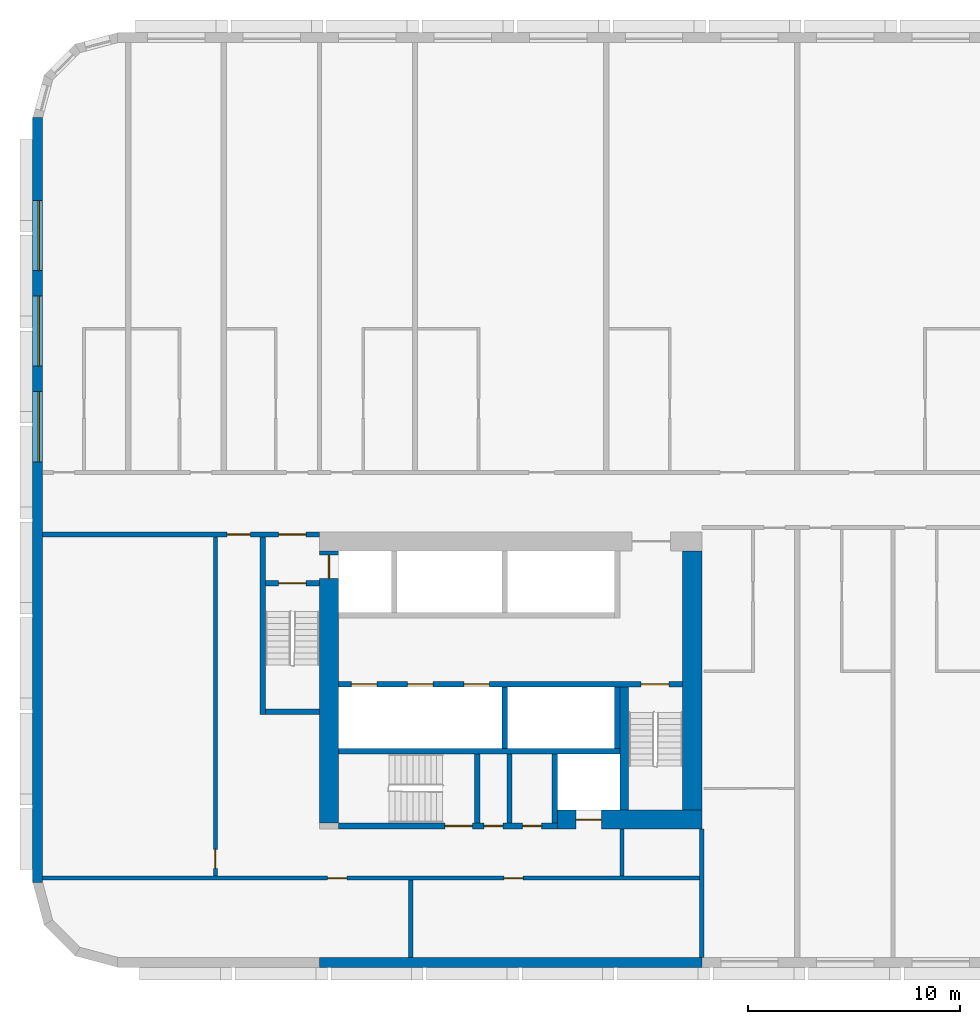
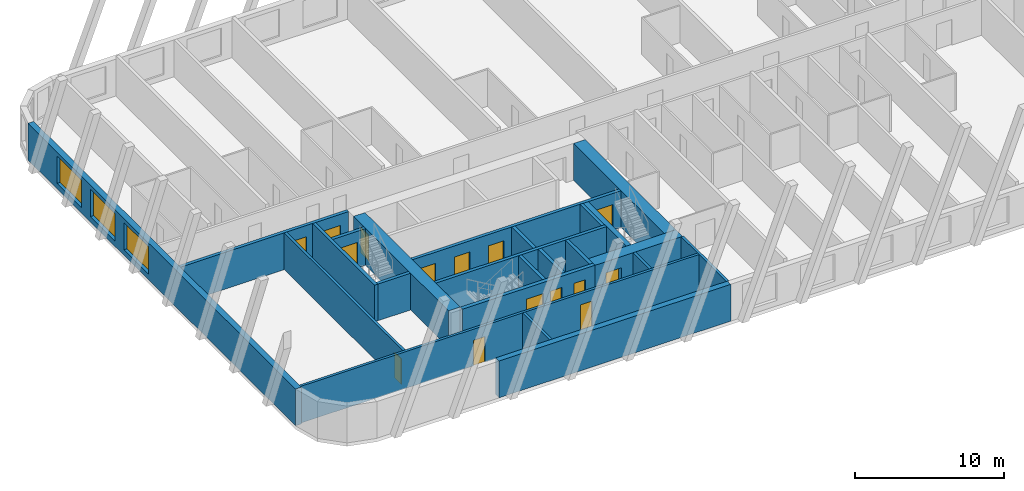
# One storey, part 2 of 13: 23 walls, 15 doors, 3 windows, 18 openings.
"""IFC4 building model written with IfcOpenShell, lengths in metres."""

from ifc_helpers import new_model, si_unit, direction, frame, frame_2d, origin, place, context, subcontext, project, spatial, rectangle, extrude, material, layer, layer_set, type_object, element, fill, save


model = new_model("IFC4")

# Units and contexts
model_context = context("Model", 3, precision=1e-05, world=origin(), true_north=direction((0.0, 1.0)))
body_context = subcontext(model_context, "Body", "Model", "MODEL_VIEW")
ifc_project = project(units=[si_unit("LENGTHUNIT", "METRE"), si_unit("AREAUNIT", "SQUARE_METRE"), si_unit("VOLUMEUNIT", "CUBIC_METRE"), si_unit("PLANEANGLEUNIT", "RADIAN"), si_unit("MASSUNIT", "GRAM", prefix="KILO")], contexts=[model_context])

# Site, building, storey
site_placement = place(None, origin())
site = spatial("IfcSite", under=ifc_project, at=site_placement, CompositionType="ELEMENT")
building_placement = place(site_placement, origin())
building = spatial("IfcBuilding", under=site, at=building_placement, Name="Kajstack Hotel Tower", CompositionType="ELEMENT")
storey_placement = place(building_placement, frame((0.0, 0.0, 89.699951171875)))
storey = spatial("IfcBuildingStorey", under=building, at=storey_placement, Name="L18", CompositionType="ELEMENT", Elevation=89.699951171875)

# Wall, opening, door
ifc_material_1 = material(Name="Concrete C60/75", Category="concrete")
ifc_layer_1 = layer(ifc_material_1, 0.89990234375)
ifc_layer_set_1 = layer_set([ifc_layer_1], Name="Core wall 900")
wall_type_1 = type_object("IfcWallType", Name="Core wall 900", PredefinedType="SHEAR", material=ifc_layer_set_1)
wall_1_placement = place(storey_placement, frame((-20.300048828125, -15.050048828125, 0.0), z_axis=(0.0, 0.0, 1.0), x_axis=(1.0, 0.0, 0.0)))
wall_1 = element("IfcWall", 1, at=wall_1_placement, inside=storey, type_object=wall_type_1, Name="Core wall W RS", PredefinedType="SHEAR", context=body_context, shape_type="SweptSolid", body=[
    extrude(rectangle(XDim=6.800048828125, YDim=0.89990234375, at=frame_2d((3.39990234375, 0.0))), origin(), (0.0, 0.0, 1.0), 3.02001953125),
])
opening_1_placement = place(wall_1_placement, frame((0.875, 0.0, 0.0)))
opening_1 = element("IfcOpeningElement", 2, at=opening_1_placement, cuts=wall_1, Name="Opening LD-SV1", PredefinedType="OPENING", context=body_context, shape_type="SweptSolid", body=[
    extrude(rectangle(XDim=1.199951171875, YDim=2.10009765625, at=frame_2d((0.60009765625, 1.050048828125))), frame((0.0, 0.4599609375, 0.0), z_axis=(0.0, -1.0, 0.0), x_axis=(1.0, 0.0, 0.0)), (0.0, 0.0, 1.0), 0.919921875),
])
ifc_material_2 = material(Name="Stainless steel", Category="steel")
door_type_1 = type_object("IfcDoorType", Name="Lift landing door 1200", OperationType="SLIDING_TO_LEFT", PredefinedType="DOOR", material=ifc_material_2)
door_1_placement = place(opening_1_placement, origin())
door_1 = element("IfcDoor", 3, at=door_1_placement, inside=storey, type_object=door_type_1, Name="Landing door SV1", OperationType="SLIDING_TO_LEFT", OverallHeight=2.10009765625, OverallWidth=1.199951171875, PredefinedType="DOOR", context=body_context, shape_type="SweptSolid", body=[
    extrude(rectangle(XDim=1.199951171875, YDim=2.10009765625, at=frame_2d((0.60009765625, 1.050048828125))), frame((0.0, 0.02490234375, 0.0), z_axis=(0.0, -1.0, 0.0), x_axis=(1.0, 0.0, 0.0)), (0.0, 0.0, 1.0), 0.050048828125),
])
fill(opening_1, door_1)

wall_2_placement = place(storey_placement, frame((-31.050048828125, -15.199951171875, 0.0), z_axis=(0.0, 0.0, 1.0), x_axis=(0.0, 1.0, 0.0)))
wall_2 = element("IfcWall", 4, at=wall_2_placement, inside=storey, type_object=wall_type_1, Name="Core wall W RW", PredefinedType="SHEAR", context=body_context, shape_type="SweptSolid", body=[
    extrude(rectangle(XDim=12.800048828125, YDim=0.89990234375, at=frame_2d((6.39990234375, 0.0))), origin(), (0.0, 0.0, 1.0), 3.02001953125),
])
opening_2_placement = place(wall_2_placement, frame((11.5, 0.0, 0.0)))
opening_2 = element("IfcOpeningElement", 5, at=opening_2_placement, cuts=wall_2, Name="Opening LD-FF1", PredefinedType="OPENING", context=body_context, shape_type="SweptSolid", body=[
    extrude(rectangle(XDim=1.10009765625, YDim=2.10009765625, at=frame_2d((0.550048828125, 1.050048828125))), frame((0.0, 0.4599609375, 0.0), z_axis=(0.0, -1.0, 0.0), x_axis=(1.0, 0.0, 0.0)), (0.0, 0.0, 1.0), 0.919921875),
])
door_type_2 = type_object("IfcDoorType", Name="Fire-fighting lift landing door 1100", OperationType="SLIDING_TO_LEFT", PredefinedType="DOOR", material=ifc_material_2)
door_2_placement = place(opening_2_placement, origin())
door_2 = element("IfcDoor", 6, at=door_2_placement, inside=storey, type_object=door_type_2, Name="Landing door FF1", OperationType="SLIDING_TO_RIGHT", OverallHeight=2.10009765625, OverallWidth=1.10009765625, PredefinedType="DOOR", context=body_context, shape_type="SweptSolid", body=[
    extrude(rectangle(XDim=1.10009765625, YDim=2.10009765625, at=frame_2d((0.550048828125, 1.050048828125))), frame((0.0, 0.02490234375, 0.0), z_axis=(0.0, -1.0, 0.0), x_axis=(1.0, 0.0, 0.0)), (0.0, 0.0, 1.0), 0.050048828125),
])
fill(opening_2, door_2)

# Walls
wall_3_placement = place(storey_placement, frame((-13.949951171875, -14.60009765625, 0.0), z_axis=(0.0, 0.0, 1.0), x_axis=(0.0, 1.0, 0.0)))
element("IfcWall", 7, at=wall_3_placement, inside=storey, type_object=wall_type_1, Name="Core wall W RE", PredefinedType="SHEAR", context=body_context, shape_type="SweptSolid", body=[
    extrude(rectangle(XDim=12.2001953125, YDim=0.89990234375, at=frame_2d((6.10009765625, 0.0))), origin(), (0.0, 0.0, 1.0), 3.02001953125),
])
ifc_material_3 = material(Name="Twin-frame gypsum board on steel studs, mineral wool", Category="steel")
ifc_layer_2 = layer(ifc_material_3, 0.199951171875)
ifc_layer_set_2 = layer_set([ifc_layer_2], Name="Demising wall 200")
wall_type_2 = type_object("IfcWallType", Name="Demising wall 200", PredefinedType="PARTITIONING", material=ifc_layer_set_2)
wall_4_placement = place(storey_placement, frame((-13.5, -21.550048828125, 0.0), z_axis=(0.0, 0.0, 1.0), x_axis=(0.0, 1.0, 0.0)))
element("IfcWall", 8, at=wall_4_placement, inside=storey, type_object=wall_type_2, Name="G-wall-L18-002", PredefinedType="PARTITIONING", context=body_context, shape_type="SweptSolid", body=[
    extrude(rectangle(XDim=6.050048828125, YDim=0.199951171875, at=frame_2d((3.02490234375, 0.0))), origin(), (0.0, 0.0, 1.0), 3.02001953125),
])
ifc_material_4 = material(Name="Concrete C40/50", Category="concrete")
ifc_layer_3 = layer(ifc_material_4, 0.449951171875)
ifc_layer_set_3 = layer_set([ifc_layer_3], Name="EW-CORE")
wall_type_3 = type_object("IfcWallType", Name="EW-CORE", PredefinedType="SOLIDWALL", material=ifc_layer_set_3)
wall_5_placement = place(storey_placement, frame((-31.5, -21.77490234375, 0.0), z_axis=(0.0, 0.0, 1.0), x_axis=(1.0, 0.0, 0.0)))
element("IfcWall", 9, at=wall_5_placement, inside=storey, type_object=wall_type_3, Name="E-wall-L18-03-01", PredefinedType="SOLIDWALL", context=body_context, shape_type="SweptSolid", body=[
    extrude(rectangle(XDim=18.0, YDim=0.449951171875, at=frame_2d((9.0, 0.0))), origin(), (0.0, 0.0, 1.0), 3.02001953125),
])

# Wall, openings, windows
ifc_material_5 = material(Name="Terracotta-faced brick masonry", Category="masonry")
ifc_layer_4 = layer(ifc_material_5, 0.449951171875)
ifc_layer_set_4 = layer_set([ifc_layer_4], Name="EW-TERRA")
wall_type_4 = type_object("IfcWallType", Name="EW-TERRA", PredefinedType="SOLIDWALL", material=ifc_layer_set_4)
wall_6_placement = place(storey_placement, frame((-44.77490234375, 18.0, 0.0), z_axis=(0.0, 0.0, 1.0), x_axis=(0.0, -1.0, 0.0)))
wall_6 = element("IfcWall", 10, at=wall_6_placement, inside=storey, type_object=wall_type_4, Name="E-wall-L18-15-00", PredefinedType="SOLIDWALL", context=body_context, shape_type="SweptSolid", body=[
    extrude(rectangle(XDim=36.0, YDim=0.449951171875, at=frame_2d((18.0, 0.0))), origin(), (0.0, 0.0, 1.0), 3.02001953125),
])
opening_3_placement = place(wall_6_placement, frame((3.89990234375, 0.0, 0.449951171875)))
opening_3 = element("IfcOpeningElement", 11, at=opening_3_placement, cuts=wall_6, Name="Opening W2", PredefinedType="OPENING", context=body_context, shape_type="SweptSolid", body=[
    extrude(rectangle(XDim=3.300048828125, YDim=2.25, at=frame_2d((1.64990234375, 1.125))), frame((0.0, 0.23486328125, 0.0), z_axis=(0.0, -1.0, 0.0), x_axis=(1.0, 0.0, 0.0)), (0.0, 0.0, 1.0), 0.469970703125),
])
opening_4_placement = place(wall_6_placement, frame((8.39990234375, 0.0, 0.449951171875)))
opening_4 = element("IfcOpeningElement", 12, at=opening_4_placement, cuts=wall_6, Name="Opening W2", PredefinedType="OPENING", context=body_context, shape_type="SweptSolid", body=[
    extrude(rectangle(XDim=3.300048828125, YDim=2.25, at=frame_2d((1.64990234375, 1.125))), frame((0.0, 0.23486328125, 0.0), z_axis=(0.0, -1.0, 0.0), x_axis=(1.0, 0.0, 0.0)), (0.0, 0.0, 1.0), 0.469970703125),
])
opening_5_placement = place(wall_6_placement, frame((12.89990234375, 0.0, 0.449951171875)))
opening_5 = element("IfcOpeningElement", 13, at=opening_5_placement, cuts=wall_6, Name="Opening W2", PredefinedType="OPENING", context=body_context, shape_type="SweptSolid", body=[
    extrude(rectangle(XDim=3.300048828125, YDim=2.25, at=frame_2d((1.64990234375, 1.125))), frame((0.0, 0.23486328125, 0.0), z_axis=(0.0, -1.0, 0.0), x_axis=(1.0, 0.0, 0.0)), (0.0, 0.0, 1.0), 0.469970703125),
])
ifc_material_6 = material(Name="Timber-aluminium window, triple glazed", Category="wood")
window_type = type_object("IfcWindowType", Name="WG2", PartitioningType="SINGLE_PANEL", PredefinedType="WINDOW", material=ifc_material_6)
window_1_placement = place(opening_3_placement, origin())
window_1 = element("IfcWindow", 14, at=window_1_placement, inside=storey, type_object=window_type, Name="Window W2 L18-15", OverallHeight=2.25, OverallWidth=3.300048828125, PartitioningType="SINGLE_PANEL", PredefinedType="WINDOW", context=body_context, shape_type="SweptSolid", body=[
    extrude(rectangle(XDim=3.300048828125, YDim=2.25, at=frame_2d((1.64990234375, 1.125))), frame((0.0, 0.090087890625, 0.0), z_axis=(0.0, -1.0, 0.0), x_axis=(1.0, 0.0, 0.0)), (0.0, 0.0, 1.0), 0.06005859375),
])
fill(opening_3, window_1)
window_2_placement = place(opening_4_placement, origin())
window_2 = element("IfcWindow", 15, at=window_2_placement, inside=storey, type_object=window_type, Name="Window W2 L18-15", OverallHeight=2.25, OverallWidth=3.300048828125, PartitioningType="SINGLE_PANEL", PredefinedType="WINDOW", context=body_context, shape_type="SweptSolid", body=[
    extrude(rectangle(XDim=3.300048828125, YDim=2.25, at=frame_2d((1.64990234375, 1.125))), frame((0.0, 0.090087890625, 0.0), z_axis=(0.0, -1.0, 0.0), x_axis=(1.0, 0.0, 0.0)), (0.0, 0.0, 1.0), 0.06005859375),
])
fill(opening_4, window_2)
window_3_placement = place(opening_5_placement, origin())
window_3 = element("IfcWindow", 16, at=window_3_placement, inside=storey, type_object=window_type, Name="Window W2 L18-15", OverallHeight=2.25, OverallWidth=3.300048828125, PartitioningType="SINGLE_PANEL", PredefinedType="WINDOW", context=body_context, shape_type="SweptSolid", body=[
    extrude(rectangle(XDim=3.300048828125, YDim=2.25, at=frame_2d((1.64990234375, 1.125))), frame((0.0, 0.090087890625, 0.0), z_axis=(0.0, -1.0, 0.0), x_axis=(1.0, 0.0, 0.0)), (0.0, 0.0, 1.0), 0.06005859375),
])
fill(opening_5, window_3)

# Walls
ifc_material_7 = material(Name="Concrete C50/60", Category="concrete")
ifc_layer_5 = layer(ifc_material_7, 0.300048828125)
ifc_layer_set_5 = layer_set([ifc_layer_5], Name="Hoistway divider wall 300")
wall_type_5 = type_object("IfcWallType", Name="Hoistway divider wall 300", PredefinedType="SHEAR", material=ifc_layer_set_5)
wall_7_placement = place(storey_placement, frame((-22.77490234375, -11.699951171875, 0.0), z_axis=(0.0, 0.0, 1.0), x_axis=(0.0, 1.0, 0.0)))
element("IfcWall", 17, at=wall_7_placement, inside=storey, type_object=wall_type_5, Name="Core wall W BP2", PredefinedType="SHEAR", context=body_context, shape_type="SweptSolid", body=[
    extrude(rectangle(XDim=2.89990234375, YDim=0.25, at=frame_2d((1.449951171875, 0.0))), origin(), (0.0, 0.0, 1.0), 3.02001953125),
])
ifc_material_8 = material(Name="Concrete block masonry", Category="masonry")
ifc_layer_6 = layer(ifc_material_8, 0.25)
ifc_layer_set_6 = layer_set([ifc_layer_6], Name="Riser partition 250")
wall_type_6 = type_object("IfcWallType", Name="Riser partition 250", PredefinedType="PARTITIONING", material=ifc_layer_set_6)
wall_8_placement = place(storey_placement, frame((-22.550048828125, -15.199951171875, 0.0), z_axis=(0.0, 0.0, 1.0), x_axis=(0.0, 1.0, 0.0)))
element("IfcWall", 18, at=wall_8_placement, inside=storey, type_object=wall_type_6, Name="Partition W SZ0", PredefinedType="PARTITIONING", context=body_context, shape_type="SweptSolid", body=[
    extrude(rectangle(XDim=3.25, YDim=0.25, at=frame_2d((1.625, 0.0))), origin(), (0.0, 0.0, 1.0), 3.02001953125),
])

# Wall, openings, doors
ifc_material_9 = material(Name="Gypsum board on steel studs, mineral wool", Category="steel")
ifc_layer_7 = layer(ifc_material_9, 0.199951171875)
ifc_layer_set_7 = layer_set([ifc_layer_7], Name="Service partition 200")
wall_type_7 = type_object("IfcWallType", Name="Service partition 200", PredefinedType="PARTITIONING", material=ifc_layer_set_7)
wall_9_placement = place(storey_placement, frame((-44.550048828125, -1.625, 0.0), z_axis=(0.0, 0.0, 1.0), x_axis=(1.0, 0.0, 0.0)))
wall_9 = element("IfcWall", 19, at=wall_9_placement, inside=storey, type_object=wall_type_7, Name="Partition W SN", PredefinedType="PARTITIONING", context=body_context, shape_type="SweptSolid", body=[
    extrude(rectangle(XDim=13.050048828125, YDim=0.25, at=frame_2d((6.52490234375, 0.0))), origin(), (0.0, 0.0, 1.0), 3.02001953125),
])
opening_6_placement = place(wall_9_placement, frame((11.125, 0.0, 0.0)))
opening_6 = element("IfcOpeningElement", 20, at=opening_6_placement, cuts=wall_9, Name="Opening 18W07", PredefinedType="OPENING", context=body_context, shape_type="SweptSolid", body=[
    extrude(rectangle(XDim=1.300048828125, YDim=2.10009765625, at=frame_2d((0.64990234375, 1.050048828125))), frame((0.0, 0.135009765625, 0.0), z_axis=(0.0, -1.0, 0.0), x_axis=(1.0, 0.0, 0.0)), (0.0, 0.0, 1.0), 0.27001953125),
])
opening_7_placement = place(wall_9_placement, frame((8.699951171875, 0.0, 0.0)))
opening_7 = element("IfcOpeningElement", 21, at=opening_7_placement, cuts=wall_9, Name="Opening 18W09", PredefinedType="OPENING", context=body_context, shape_type="SweptSolid", body=[
    extrude(rectangle(XDim=1.10009765625, YDim=2.10009765625, at=frame_2d((0.550048828125, 1.050048828125))), frame((0.0, 0.135009765625, 0.0), z_axis=(0.0, -1.0, 0.0), x_axis=(1.0, 0.0, 0.0)), (0.0, 0.0, 1.0), 0.27001953125),
])
ifc_material_10 = material(Name="Steel leaf, fire-rated", Category="steel")
door_type_3 = type_object("IfcDoorType", Name="Fire lobby door 1300", OperationType="SINGLE_SWING_LEFT", PredefinedType="DOOR", material=ifc_material_10)
door_3_placement = place(opening_6_placement, origin())
door_3 = element("IfcDoor", 22, at=door_3_placement, inside=storey, type_object=door_type_3, Name="Door 18W07", OperationType="SINGLE_SWING_RIGHT", OverallHeight=2.10009765625, OverallWidth=1.300048828125, PredefinedType="DOOR", context=body_context, shape_type="SweptSolid", body=[
    extrude(rectangle(XDim=1.300048828125, YDim=2.10009765625, at=frame_2d((0.64990234375, 1.050048828125))), frame((0.0, 0.02490234375, 0.0), z_axis=(0.0, -1.0, 0.0), x_axis=(1.0, 0.0, 0.0)), (0.0, 0.0, 1.0), 0.050048828125),
])
fill(opening_6, door_3)
ifc_material_11 = material(Name="Timber leaf, fire-rated", Category="wood")
door_type_4 = type_object("IfcDoorType", Name="Service corridor door 1100", OperationType="SINGLE_SWING_LEFT", PredefinedType="DOOR", material=ifc_material_11)
door_4_placement = place(opening_7_placement, origin())
door_4 = element("IfcDoor", 23, at=door_4_placement, inside=storey, type_object=door_type_4, Name="Door 18W09", OperationType="SINGLE_SWING_RIGHT", OverallHeight=2.10009765625, OverallWidth=1.10009765625, PredefinedType="DOOR", context=body_context, shape_type="SweptSolid", body=[
    extrude(rectangle(XDim=1.10009765625, YDim=2.10009765625, at=frame_2d((0.550048828125, 1.050048828125))), frame((0.0, 0.02490234375, 0.0), z_axis=(0.0, -1.0, 0.0), x_axis=(1.0, 0.0, 0.0)), (0.0, 0.0, 1.0), 0.050048828125),
])
fill(opening_7, door_4)

# Wall
wall_10_placement = place(storey_placement, frame((-17.25, -17.699951171875, 0.0), z_axis=(0.0, 0.0, 1.0), x_axis=(0.0, 1.0, 0.0)))
element("IfcWall", 24, at=wall_10_placement, inside=storey, type_object=wall_type_7, Name="Partition W SCE", PredefinedType="PARTITIONING", context=body_context, shape_type="SweptSolid", body=[
    extrude(rectangle(XDim=2.199951171875, YDim=0.199951171875, at=frame_2d((1.10009765625, 0.0))), origin(), (0.0, 0.0, 1.0), 3.02001953125),
])

# Wall, opening, door
wall_11_placement = place(storey_placement, frame((-36.39990234375, -17.699951171875, 0.0), z_axis=(0.0, 0.0, 1.0), x_axis=(0.0, 1.0, 0.0)))
wall_11 = element("IfcWall", 25, at=wall_11_placement, inside=storey, type_object=wall_type_7, Name="Partition W WRE", PredefinedType="PARTITIONING", context=body_context, shape_type="SweptSolid", body=[
    extrude(rectangle(XDim=15.949951171875, YDim=0.199951171875, at=frame_2d((7.97509765625, 0.0))), origin(), (0.0, 0.0, 1.0), 3.02001953125),
])
opening_8_placement = place(wall_11_placement, frame((0.35009765625, 0.0, 0.0)))
opening_8 = element("IfcOpeningElement", 26, at=opening_8_placement, cuts=wall_11, Name="Opening 18W16", PredefinedType="OPENING", context=body_context, shape_type="SweptSolid", body=[
    extrude(rectangle(XDim=0.89990234375, YDim=2.10009765625, at=frame_2d((0.449951171875, 1.050048828125))), frame((0.0, 0.10986328125, 0.0), z_axis=(0.0, -1.0, 0.0), x_axis=(1.0, 0.0, 0.0)), (0.0, 0.0, 1.0), 0.219970703125),
])
door_type_5 = type_object("IfcDoorType", Name="Service door 900", OperationType="SINGLE_SWING_LEFT", PredefinedType="DOOR", material=ifc_material_11)
door_5_placement = place(opening_8_placement, origin())
door_5 = element("IfcDoor", 27, at=door_5_placement, inside=storey, type_object=door_type_5, Name="Door 18W16", OperationType="SINGLE_SWING_LEFT", OverallHeight=2.10009765625, OverallWidth=0.89990234375, PredefinedType="DOOR", context=body_context, shape_type="SweptSolid", body=[
    extrude(rectangle(XDim=0.89990234375, YDim=2.10009765625, at=frame_2d((0.449951171875, 1.050048828125))), frame((0.0, 0.02490234375, 0.0), z_axis=(0.0, -1.0, 0.0), x_axis=(1.0, 0.0, 0.0)), (0.0, 0.0, 1.0), 0.050048828125),
])
fill(opening_8, door_5)

# Wall, openings, doors
wall_12_placement = place(storey_placement, frame((-44.550048828125, -17.800048828125, 0.0), z_axis=(0.0, 0.0, 1.0), x_axis=(1.0, 0.0, 0.0)))
wall_12 = element("IfcWall", 28, at=wall_12_placement, inside=storey, type_object=wall_type_7, Name="Partition W SLN", PredefinedType="PARTITIONING", context=body_context, shape_type="SweptSolid", body=[
    extrude(rectangle(XDim=30.949951171875, YDim=0.199951171875, at=frame_2d((15.47509765625, 0.0))), origin(), (0.0, 0.0, 1.0), 3.02001953125),
])
opening_9_placement = place(wall_12_placement, frame((13.4375, 0.0, 0.0)))
opening_9 = element("IfcOpeningElement", 29, at=opening_9_placement, cuts=wall_12, Name="Opening 18W14", PredefinedType="OPENING", context=body_context, shape_type="SweptSolid", body=[
    extrude(rectangle(XDim=0.89990234375, YDim=2.10009765625, at=frame_2d((0.449951171875, 1.050048828125))), frame((0.0, 0.10986328125, 0.0), z_axis=(0.0, -1.0, 0.0), x_axis=(1.0, 0.0, 0.0)), (0.0, 0.0, 1.0), 0.219970703125),
])
opening_10_placement = place(wall_12_placement, frame((21.737548828125, 0.0, 0.0)))
opening_10 = element("IfcOpeningElement", 30, at=opening_10_placement, cuts=wall_12, Name="Opening 18W15", PredefinedType="OPENING", context=body_context, shape_type="SweptSolid", body=[
    extrude(rectangle(XDim=0.89990234375, YDim=2.10009765625, at=frame_2d((0.449951171875, 1.050048828125))), frame((0.0, 0.10986328125, 0.0), z_axis=(0.0, -1.0, 0.0), x_axis=(1.0, 0.0, 0.0)), (0.0, 0.0, 1.0), 0.219970703125),
])
door_6_placement = place(opening_9_placement, origin())
door_6 = element("IfcDoor", 31, at=door_6_placement, inside=storey, type_object=door_type_5, Name="Door 18W14", OperationType="SINGLE_SWING_RIGHT", OverallHeight=2.10009765625, OverallWidth=0.89990234375, PredefinedType="DOOR", context=body_context, shape_type="SweptSolid", body=[
    extrude(rectangle(XDim=0.89990234375, YDim=2.10009765625, at=frame_2d((0.449951171875, 1.050048828125))), frame((0.0, 0.02490234375, 0.0), z_axis=(0.0, -1.0, 0.0), x_axis=(1.0, 0.0, 0.0)), (0.0, 0.0, 1.0), 0.050048828125),
])
fill(opening_9, door_6)
door_7_placement = place(opening_10_placement, origin())
door_7 = element("IfcDoor", 32, at=door_7_placement, inside=storey, type_object=door_type_5, Name="Door 18W15", OperationType="SINGLE_SWING_RIGHT", OverallHeight=2.10009765625, OverallWidth=0.89990234375, PredefinedType="DOOR", context=body_context, shape_type="SweptSolid", body=[
    extrude(rectangle(XDim=0.89990234375, YDim=2.10009765625, at=frame_2d((0.449951171875, 1.050048828125))), frame((0.0, 0.02490234375, 0.0), z_axis=(0.0, -1.0, 0.0), x_axis=(1.0, 0.0, 0.0)), (0.0, 0.0, 1.0), 0.050048828125),
])
fill(opening_10, door_7)

# Wall
wall_13_placement = place(storey_placement, frame((-27.199951171875, -21.550048828125, 0.0), z_axis=(0.0, 0.0, 1.0), x_axis=(0.0, 1.0, 0.0)))
element("IfcWall", 33, at=wall_13_placement, inside=storey, type_object=wall_type_7, Name="Partition W SLP0", PredefinedType="PARTITIONING", context=body_context, shape_type="SweptSolid", body=[
    extrude(rectangle(XDim=3.650146484375, YDim=0.199951171875, at=frame_2d((1.8251953125, 0.0))), origin(), (0.0, 0.0, 1.0), 3.02001953125),
])

# Wall, openings, doors
ifc_layer_8 = layer(ifc_material_7, 0.25)
ifc_layer_set_8 = layer_set([ifc_layer_8], Name="Shaft wall 250")
wall_type_8 = type_object("IfcWallType", Name="Shaft wall 250", PredefinedType="SHEAR", material=ifc_layer_set_8)
wall_14_placement = place(storey_placement, frame((-30.60009765625, -15.35009765625, 0.0), z_axis=(0.0, 0.0, 1.0), x_axis=(1.0, 0.0, 0.0)))
wall_14 = element("IfcWall", 34, at=wall_14_placement, inside=storey, type_object=wall_type_8, Name="Core wall W RSS", PredefinedType="SHEAR", context=body_context, shape_type="SweptSolid", body=[
    extrude(rectangle(XDim=10.300048828125, YDim=0.300048828125, at=frame_2d((5.14990234375, 0.0))), origin(), (0.0, 0.0, 1.0), 3.02001953125),
])
opening_11_placement = place(wall_14_placement, frame((5.0, 0.0, 0.0)))
opening_11 = element("IfcOpeningElement", 35, at=opening_11_placement, cuts=wall_14, Name="Opening 18W11", PredefinedType="OPENING", context=body_context, shape_type="SweptSolid", body=[
    extrude(rectangle(XDim=1.300048828125, YDim=2.10009765625, at=frame_2d((0.64990234375, 1.050048828125))), frame((0.0, 0.159912109375, 0.0), z_axis=(0.0, -1.0, 0.0), x_axis=(1.0, 0.0, 0.0)), (0.0, 0.0, 1.0), 0.320068359375),
])
opening_12_placement = place(wall_14_placement, frame((6.83740234375, 0.0, 0.0)))
opening_12 = element("IfcOpeningElement", 36, at=opening_12_placement, cuts=wall_14, Name="Opening 18W12", PredefinedType="OPENING", context=body_context, shape_type="SweptSolid", body=[
    extrude(rectangle(XDim=0.89990234375, YDim=2.10009765625, at=frame_2d((0.449951171875, 1.050048828125))), frame((0.0, 0.159912109375, 0.0), z_axis=(0.0, -1.0, 0.0), x_axis=(1.0, 0.0, 0.0)), (0.0, 0.0, 1.0), 0.320068359375),
])
opening_13_placement = place(wall_14_placement, frame((8.66259765625, 0.0, 0.0)))
opening_13 = element("IfcOpeningElement", 37, at=opening_13_placement, cuts=wall_14, Name="Opening 18W13", PredefinedType="OPENING", context=body_context, shape_type="SweptSolid", body=[
    extrude(rectangle(XDim=0.89990234375, YDim=2.10009765625, at=frame_2d((0.449951171875, 1.050048828125))), frame((0.0, 0.159912109375, 0.0), z_axis=(0.0, -1.0, 0.0), x_axis=(1.0, 0.0, 0.0)), (0.0, 0.0, 1.0), 0.320068359375),
])
door_type_6 = type_object("IfcDoorType", Name="Riser door 900", OperationType="SINGLE_SWING_LEFT", PredefinedType="DOOR", material=ifc_material_10)
door_8_placement = place(opening_13_placement, origin())
door_8 = element("IfcDoor", 38, at=door_8_placement, inside=storey, type_object=door_type_6, Name="Door 18W13", OperationType="SINGLE_SWING_LEFT", OverallHeight=2.10009765625, OverallWidth=0.89990234375, PredefinedType="DOOR", context=body_context, shape_type="SweptSolid", body=[
    extrude(rectangle(XDim=0.89990234375, YDim=2.10009765625, at=frame_2d((0.449951171875, 1.050048828125))), frame((0.0, 0.02490234375, 0.0), z_axis=(0.0, -1.0, 0.0), x_axis=(1.0, 0.0, 0.0)), (0.0, 0.0, 1.0), 0.050048828125),
])
fill(opening_13, door_8)
door_9_placement = place(opening_12_placement, origin())
door_9 = element("IfcDoor", 39, at=door_9_placement, inside=storey, type_object=door_type_5, Name="Door 18W12", OperationType="SINGLE_SWING_LEFT", OverallHeight=2.10009765625, OverallWidth=0.89990234375, PredefinedType="DOOR", context=body_context, shape_type="SweptSolid", body=[
    extrude(rectangle(XDim=0.89990234375, YDim=2.10009765625, at=frame_2d((0.449951171875, 1.050048828125))), frame((0.0, 0.02490234375, 0.0), z_axis=(0.0, -1.0, 0.0), x_axis=(1.0, 0.0, 0.0)), (0.0, 0.0, 1.0), 0.050048828125),
])
fill(opening_12, door_9)
door_type_7 = type_object("IfcDoorType", Name="Stair door 1300", OperationType="SINGLE_SWING_LEFT", PredefinedType="DOOR", material=ifc_material_10)
door_10_placement = place(opening_11_placement, origin())
door_10 = element("IfcDoor", 40, at=door_10_placement, inside=storey, type_object=door_type_7, Name="Door 18W11", OperationType="SINGLE_SWING_RIGHT", OverallHeight=2.10009765625, OverallWidth=1.300048828125, PredefinedType="DOOR", context=body_context, shape_type="SweptSolid", body=[
    extrude(rectangle(XDim=1.300048828125, YDim=2.10009765625, at=frame_2d((0.64990234375, 1.050048828125))), frame((0.0, 0.02490234375, 0.0), z_axis=(0.0, -1.0, 0.0), x_axis=(1.0, 0.0, 0.0)), (0.0, 0.0, 1.0), 0.050048828125),
])
fill(opening_11, door_10)

wall_15_placement = place(storey_placement, frame((-30.60009765625, -8.675048828125, 0.0), z_axis=(0.0, 0.0, 1.0), x_axis=(1.0, 0.0, 0.0)))
wall_15 = element("IfcWall", 41, at=wall_15_placement, inside=storey, type_object=wall_type_8, Name="Core wall W FB", PredefinedType="SHEAR", context=body_context, shape_type="SweptSolid", body=[
    extrude(rectangle(XDim=16.2001953125, YDim=0.25, at=frame_2d((8.10009765625, 0.0))), origin(), (0.0, 0.0, 1.0), 3.02001953125),
])
opening_14_placement = place(wall_15_placement, frame((0.60009765625, 0.0, 0.0)))
opening_14 = element("IfcOpeningElement", 42, at=opening_14_placement, cuts=wall_15, Name="Opening LD-LR1", PredefinedType="OPENING", context=body_context, shape_type="SweptSolid", body=[
    extrude(rectangle(XDim=1.199951171875, YDim=2.10009765625, at=frame_2d((0.60009765625, 1.050048828125))), frame((0.0, 0.135009765625, 0.0), z_axis=(0.0, -1.0, 0.0), x_axis=(1.0, 0.0, 0.0)), (0.0, 0.0, 1.0), 0.27001953125),
])
opening_15_placement = place(wall_15_placement, frame((3.25, 0.0, 0.0)))
opening_15 = element("IfcOpeningElement", 43, at=opening_15_placement, cuts=wall_15, Name="Opening LD-LR2", PredefinedType="OPENING", context=body_context, shape_type="SweptSolid", body=[
    extrude(rectangle(XDim=1.199951171875, YDim=2.10009765625, at=frame_2d((0.60009765625, 1.050048828125))), frame((0.0, 0.135009765625, 0.0), z_axis=(0.0, -1.0, 0.0), x_axis=(1.0, 0.0, 0.0)), (0.0, 0.0, 1.0), 0.27001953125),
])
opening_16_placement = place(wall_15_placement, frame((5.89990234375, 0.0, 0.0)))
opening_16 = element("IfcOpeningElement", 44, at=opening_16_placement, cuts=wall_15, Name="Opening LD-LR3", PredefinedType="OPENING", context=body_context, shape_type="SweptSolid", body=[
    extrude(rectangle(XDim=1.199951171875, YDim=2.10009765625, at=frame_2d((0.60009765625, 1.050048828125))), frame((0.0, 0.135009765625, 0.0), z_axis=(0.0, -1.0, 0.0), x_axis=(1.0, 0.0, 0.0)), (0.0, 0.0, 1.0), 0.27001953125),
])
opening_17_placement = place(wall_15_placement, frame((14.25, 0.0, 0.0)))
opening_17 = element("IfcOpeningElement", 45, at=opening_17_placement, cuts=wall_15, Name="Opening 18W10", PredefinedType="OPENING", context=body_context, shape_type="SweptSolid", body=[
    extrude(rectangle(XDim=1.300048828125, YDim=2.10009765625, at=frame_2d((0.64990234375, 1.050048828125))), frame((0.0, 0.135009765625, 0.0), z_axis=(0.0, -1.0, 0.0), x_axis=(1.0, 0.0, 0.0)), (0.0, 0.0, 1.0), 0.27001953125),
])
door_11_placement = place(opening_14_placement, origin())
door_11 = element("IfcDoor", 46, at=door_11_placement, inside=storey, type_object=door_type_1, Name="Landing door LR1", OperationType="SLIDING_TO_LEFT", OverallHeight=2.10009765625, OverallWidth=1.199951171875, PredefinedType="DOOR", context=body_context, shape_type="SweptSolid", body=[
    extrude(rectangle(XDim=1.199951171875, YDim=2.10009765625, at=frame_2d((0.60009765625, 1.050048828125))), frame((0.0, 0.02490234375, 0.0), z_axis=(0.0, -1.0, 0.0), x_axis=(1.0, 0.0, 0.0)), (0.0, 0.0, 1.0), 0.050048828125),
])
fill(opening_14, door_11)
door_12_placement = place(opening_15_placement, origin())
door_12 = element("IfcDoor", 47, at=door_12_placement, inside=storey, type_object=door_type_1, Name="Landing door LR2", OperationType="SLIDING_TO_RIGHT", OverallHeight=2.10009765625, OverallWidth=1.199951171875, PredefinedType="DOOR", context=body_context, shape_type="SweptSolid", body=[
    extrude(rectangle(XDim=1.199951171875, YDim=2.10009765625, at=frame_2d((0.60009765625, 1.050048828125))), frame((0.0, 0.02490234375, 0.0), z_axis=(0.0, -1.0, 0.0), x_axis=(1.0, 0.0, 0.0)), (0.0, 0.0, 1.0), 0.050048828125),
])
fill(opening_15, door_12)
door_13_placement = place(opening_16_placement, origin())
door_13 = element("IfcDoor", 48, at=door_13_placement, inside=storey, type_object=door_type_1, Name="Landing door LR3", OperationType="SLIDING_TO_RIGHT", OverallHeight=2.10009765625, OverallWidth=1.199951171875, PredefinedType="DOOR", context=body_context, shape_type="SweptSolid", body=[
    extrude(rectangle(XDim=1.199951171875, YDim=2.10009765625, at=frame_2d((0.60009765625, 1.050048828125))), frame((0.0, 0.02490234375, 0.0), z_axis=(0.0, -1.0, 0.0), x_axis=(1.0, 0.0, 0.0)), (0.0, 0.0, 1.0), 0.050048828125),
])
fill(opening_16, door_13)
door_14_placement = place(opening_17_placement, origin())
door_14 = element("IfcDoor", 49, at=door_14_placement, inside=storey, type_object=door_type_7, Name="Door 18W10", OperationType="SINGLE_SWING_RIGHT", OverallHeight=2.10009765625, OverallWidth=1.300048828125, PredefinedType="DOOR", context=body_context, shape_type="SweptSolid", body=[
    extrude(rectangle(XDim=1.300048828125, YDim=2.10009765625, at=frame_2d((0.64990234375, 1.050048828125))), frame((0.0, 0.02490234375, 0.0), z_axis=(0.0, -1.0, 0.0), x_axis=(1.0, 0.0, 0.0)), (0.0, 0.0, 1.0), 0.050048828125),
])
fill(opening_17, door_14)

# Walls
wall_16_placement = place(storey_placement, frame((-30.60009765625, -11.824951171875, 0.0), z_axis=(0.0, 0.0, 1.0), x_axis=(1.0, 0.0, 0.0)))
element("IfcWall", 50, at=wall_16_placement, inside=storey, type_object=wall_type_8, Name="Core wall W RB", PredefinedType="SHEAR", context=body_context, shape_type="SweptSolid", body=[
    extrude(rectangle(XDim=13.25, YDim=0.25, at=frame_2d((6.625, 0.0))), origin(), (0.0, 0.0, 1.0), 3.02001953125),
])
wall_17_placement = place(storey_placement, frame((-17.47509765625, -11.699951171875, 0.0), z_axis=(0.0, 0.0, 1.0), x_axis=(0.0, 1.0, 0.0)))
element("IfcWall", 51, at=wall_17_placement, inside=storey, type_object=wall_type_8, Name="Core wall W BE", PredefinedType="SHEAR", context=body_context, shape_type="SweptSolid", body=[
    extrude(rectangle(XDim=2.89990234375, YDim=0.25, at=frame_2d((1.449951171875, 0.0))), origin(), (0.0, 0.0, 1.0), 3.02001953125),
])
wall_18_placement = place(storey_placement, frame((-20.425048828125, -15.199951171875, 0.0), z_axis=(0.0, 0.0, 1.0), x_axis=(0.0, 1.0, 0.0)))
element("IfcWall", 52, at=wall_18_placement, inside=storey, type_object=wall_type_8, Name="Core wall W SVW", PredefinedType="SHEAR", context=body_context, shape_type="SweptSolid", body=[
    extrude(rectangle(XDim=3.25, YDim=0.25, at=frame_2d((1.625, 0.0))), origin(), (0.0, 0.0, 1.0), 3.02001953125),
])

# Wall, opening, door
ifc_layer_9 = layer(ifc_material_4, 0.25)
ifc_layer_set_9 = layer_set([ifc_layer_9], Name="Stair enclosure wall 250")
wall_type_9 = type_object("IfcWallType", Name="Stair enclosure wall 250", PredefinedType="SHEAR", material=ifc_layer_set_9)
wall_19_placement = place(storey_placement, frame((-34.050048828125, -3.925048828125, 0.0), z_axis=(0.0, 0.0, 1.0), x_axis=(1.0, 0.0, 0.0)))
wall_19 = element("IfcWall", 53, at=wall_19_placement, inside=storey, type_object=wall_type_9, Name="Core wall W W1N", PredefinedType="SHEAR", context=body_context, shape_type="SweptSolid", body=[
    extrude(rectangle(XDim=2.550048828125, YDim=0.25, at=frame_2d((1.27490234375, 0.0))), origin(), (0.0, 0.0, 1.0), 3.02001953125),
])
opening_18_placement = place(wall_19_placement, frame((0.625, 0.0, 0.0)))
opening_18 = element("IfcOpeningElement", 54, at=opening_18_placement, cuts=wall_19, Name="Opening 18W08", PredefinedType="OPENING", context=body_context, shape_type="SweptSolid", body=[
    extrude(rectangle(XDim=1.300048828125, YDim=2.10009765625, at=frame_2d((0.64990234375, 1.050048828125))), frame((0.0, 0.135009765625, 0.0), z_axis=(0.0, -1.0, 0.0), x_axis=(1.0, 0.0, 0.0)), (0.0, 0.0, 1.0), 0.27001953125),
])
door_15_placement = place(opening_18_placement, origin())
door_15 = element("IfcDoor", 55, at=door_15_placement, inside=storey, type_object=door_type_7, Name="Door 18W08", OperationType="SINGLE_SWING_RIGHT", OverallHeight=2.10009765625, OverallWidth=1.300048828125, PredefinedType="DOOR", context=body_context, shape_type="SweptSolid", body=[
    extrude(rectangle(XDim=1.300048828125, YDim=2.10009765625, at=frame_2d((0.64990234375, 1.050048828125))), frame((0.0, 0.02490234375, 0.0), z_axis=(0.0, -1.0, 0.0), x_axis=(1.0, 0.0, 0.0)), (0.0, 0.0, 1.0), 0.050048828125),
])
fill(opening_18, door_15)

# Walls
wall_20_placement = place(storey_placement, frame((-34.175048828125, -10.10009765625, 0.0), z_axis=(0.0, 0.0, 1.0), x_axis=(0.0, 1.0, 0.0)))
element("IfcWall", 56, at=wall_20_placement, inside=storey, type_object=wall_type_9, Name="Core wall W W1W", PredefinedType="SHEAR", context=body_context, shape_type="SweptSolid", body=[
    extrude(rectangle(XDim=8.35009765625, YDim=0.25, at=frame_2d((4.175048828125, 0.0))), origin(), (0.0, 0.0, 1.0), 3.02001953125),
])
wall_21_placement = place(storey_placement, frame((-34.050048828125, -9.97509765625, 0.0), z_axis=(0.0, 0.0, 1.0), x_axis=(1.0, 0.0, 0.0)))
element("IfcWall", 57, at=wall_21_placement, inside=storey, type_object=wall_type_9, Name="Core wall W W1S", PredefinedType="SHEAR", context=body_context, shape_type="SweptSolid", body=[
    extrude(rectangle(XDim=2.550048828125, YDim=0.25, at=frame_2d((1.27490234375, 0.0))), origin(), (0.0, 0.0, 1.0), 3.02001953125),
])
ifc_layer_10 = layer(ifc_material_7, 0.35009765625)
ifc_layer_set_10 = layer_set([ifc_layer_10], Name="Stair enclosure wall 350")
wall_type_10 = type_object("IfcWallType", Name="Stair enclosure wall 350", PredefinedType="SHEAR", material=ifc_layer_set_10)
wall_22_placement = place(storey_placement, frame((-24.074951171875, -15.199951171875, 0.0), z_axis=(0.0, 0.0, 1.0), x_axis=(0.0, 1.0, 0.0)))
element("IfcWall", 58, at=wall_22_placement, inside=storey, type_object=wall_type_10, Name="Core wall W W3E", PredefinedType="SHEAR", context=body_context, shape_type="SweptSolid", body=[
    extrude(rectangle(XDim=3.25, YDim=0.25, at=frame_2d((1.625, 0.0))), origin(), (0.0, 0.0, 1.0), 3.02001953125),
])
ifc_layer_11 = layer(ifc_material_7, 0.39990234375)
ifc_layer_set_11 = layer_set([ifc_layer_11], Name="Stair wall 400")
wall_type_11 = type_object("IfcWallType", Name="Stair wall 400", PredefinedType="SHEAR", material=ifc_layer_set_11)
wall_23_placement = place(storey_placement, frame((-17.14990234375, -14.60009765625, 0.0), z_axis=(0.0, 0.0, 1.0), x_axis=(0.0, 1.0, 0.0)))
element("IfcWall", 59, at=wall_23_placement, inside=storey, type_object=wall_type_11, Name="Core wall W WW2", PredefinedType="SHEAR", context=body_context, shape_type="SweptSolid", body=[
    extrude(rectangle(XDim=5.800048828125, YDim=0.39990234375, at=frame_2d((2.89990234375, 0.0))), origin(), (0.0, 0.0, 1.0), 3.02001953125),
])

save(model, "model.ifc")
